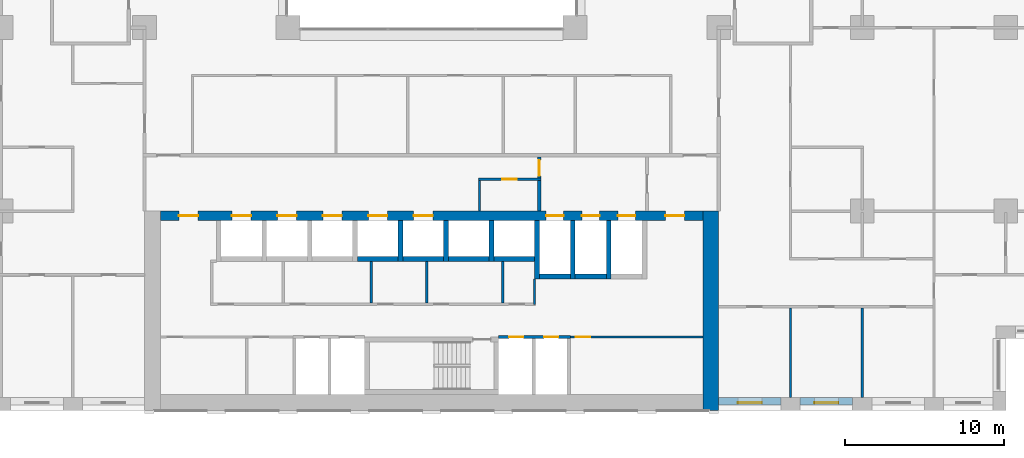
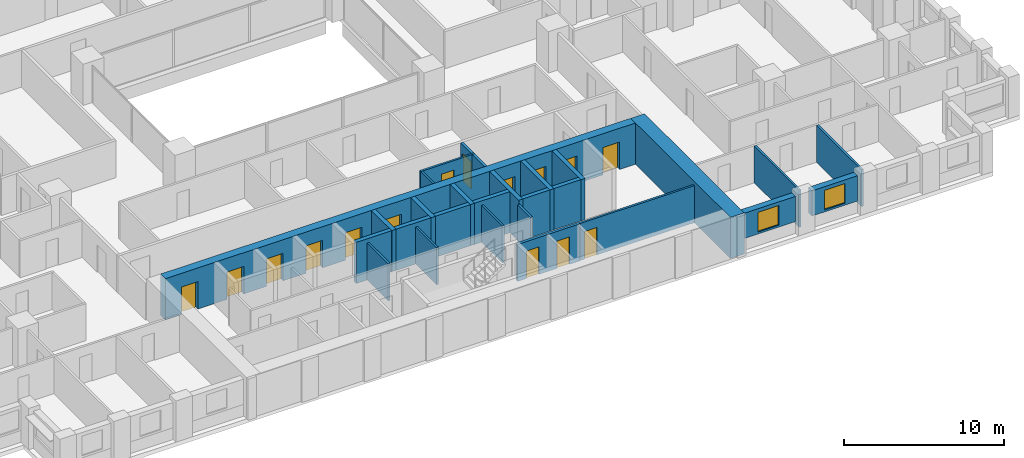
# One storey, part 11 of 21: 28 walls, 15 doors, 2 windows, 17 openings.
"""IFC4 building model written with IfcOpenShell, lengths in metres."""

import ifcopenshell
import ifcopenshell.guid

model = None  # the IFC model being written
_history = None  # IfcOwnerHistory: only IFC2X3 demands one
_inside = {}  # id of a spatial element -> (the spatial element, [elements in it])
_under = {}  # id of a project, library or spatial element -> (it, [spatial elements below it])
_declared = {}  # id of a project -> (the project, [libraries it declares])
_typed = {}  # id of a type object -> (the type object, [elements of that type])
_made_of = {}  # id of a material, layer set ... -> (it, [elements and type objects made of it])


def new_model(schema):
    """Start an empty IFC model of exactly this schema.

    Asked for "IFC4X3", IfcOpenShell would pick the latest addendum, in which some entities
    have other attributes; the version numbers below select the first issue.
    IFC2X3 requires an IfcOwnerHistory on every rooted entity: one is made here for all.
    """
    global model, _history
    if schema == "IFC4X3":
        model = ifcopenshell.file(schema_version=(4, 3, 0, 0))
    else:
        model = ifcopenshell.file(schema=schema)
    _inside.clear()
    _under.clear()
    _declared.clear()
    _typed.clear()
    _made_of.clear()
    _history = None
    if model.schema == "IFC2X3":
        org = make("IfcOrganization", Name="unknown")
        user = make(
            "IfcPersonAndOrganization",
            ThePerson=make("IfcPerson", FamilyName="unknown"),
            TheOrganization=org,
        )
        app = make(
            "IfcApplication",
            ApplicationDeveloper=org,
            Version="unknown",
            ApplicationFullName="unknown",
            ApplicationIdentifier="unknown",
        )
        _history = make(
            "IfcOwnerHistory",
            OwningUser=user,
            OwningApplication=app,
            ChangeAction="ADDED",
            CreationDate=0,
        )
    return model


def make(cls, **values):
    """One entity of the class cls with the attributes given. An attribute that is None is left unset."""
    return model.create_entity(
        cls, **{name: value for name, value in values.items() if value is not None}
    )


def rooted(cls, **values):
    """An entity with a GlobalId (a new one), such as an element, a storey or a relation."""
    return make(cls, GlobalId=ifcopenshell.guid.new(), OwnerHistory=_history, **values)


def si_unit(unit_type, name, prefix=None):
    """IfcSIUnit, for example si_unit("LENGTHUNIT", "METRE", prefix="MILLI")."""
    return make("IfcSIUnit", UnitType=unit_type, Prefix=prefix, Name=name)


def assignment(units):
    """IfcUnitAssignment: the units of a project."""
    return None if units is None else make("IfcUnitAssignment", Units=units)


def point(xyz):
    """IfcCartesianPoint."""
    return None if xyz is None else make("IfcCartesianPoint", Coordinates=xyz)


def direction(xyz):
    """IfcDirection."""
    return None if xyz is None else make("IfcDirection", DirectionRatios=xyz)


def frame(location, z_axis=None, x_axis=None):
    """IfcAxis2Placement3D, a coordinate frame: its origin and axes. An axis left out is left unset."""
    return make(
        "IfcAxis2Placement3D",
        Location=point(location),
        Axis=direction(z_axis),
        RefDirection=direction(x_axis),
    )


def frame_2d(location, x_axis=None):
    """IfcAxis2Placement2D, a coordinate frame in the plane: its origin and x axis."""
    return make(
        "IfcAxis2Placement2D", Location=point(location), RefDirection=direction(x_axis)
    )


def origin():
    """The frame at (0, 0, 0) with its axes left unset."""
    return frame((0.0, 0.0, 0.0))


def place(relative_to, where):
    """IfcLocalPlacement: puts the frame where relative to a parent placement (None: the world)."""
    return make(
        "IfcLocalPlacement", PlacementRelTo=relative_to, RelativePlacement=where
    )


def context(
    kind, dimensions, precision=None, world=None, true_north=None, identifier=None
):
    """IfcGeometricRepresentationContext, for example the 3D "Model" context."""
    return make(
        "IfcGeometricRepresentationContext",
        ContextIdentifier=identifier,
        ContextType=kind,
        CoordinateSpaceDimension=dimensions,
        Precision=precision,
        WorldCoordinateSystem=world,
        TrueNorth=true_north,
    )


def subcontext(parent, identifier, kind, view, scale=None):
    """IfcGeometricRepresentationSubContext, for example "Body" below "Model"."""
    return make(
        "IfcGeometricRepresentationSubContext",
        ContextIdentifier=identifier,
        ContextType=kind,
        ParentContext=parent,
        TargetScale=scale,
        TargetView=view,
    )


def project(units=None, contexts=None):
    """IfcProject with its units and contexts."""
    return rooted(
        "IfcProject",
        Name="project",
        RepresentationContexts=contexts,
        UnitsInContext=assignment(units),
    )


def spatial(cls, under=None, at=None, **own):
    """A site, building, storey or space (cls), placed at a placement, below another one or the project."""
    s = rooted(cls, ObjectPlacement=at, **own)
    if under is not None:
        _under.setdefault(under.id(), (under, []))[1].append(s)
    return s


def profile(cls, at=None, kind="AREA", **sizes):
    """A parametric profile (cls). Its sizes go by their IFC names, for example OverallWidth=200.0."""
    return make(cls, ProfileType=kind, Position=at, **sizes)


def rectangle(**sizes):
    """IfcRectangleProfileDef."""
    return profile("IfcRectangleProfileDef", **sizes)


def extrude(swept, where, along, depth):
    """IfcExtrudedAreaSolid: the profile swept, set in the frame where, extruded along a direction by depth."""
    return make(
        "IfcExtrudedAreaSolid",
        SweptArea=swept,
        Position=where,
        ExtrudedDirection=direction(along),
        Depth=depth,
    )


def shape(context_of_items, identifier, shape_type, items):
    """IfcShapeRepresentation: the items that make up one representation, for example the "Body"."""
    return make(
        "IfcShapeRepresentation",
        ContextOfItems=context_of_items,
        RepresentationIdentifier=identifier,
        RepresentationType=shape_type,
        Items=items,
    )


def material(Name=None, Category=None):
    """IfcMaterial."""
    return make("IfcMaterial", Name=Name, Category=Category)


def layer(
    of_material, thickness, ventilated=None, Name=None, Category=None, Priority=None
):
    """IfcMaterialLayer: one layer of a wall or slab, of a material (None: an air gap)."""
    return make(
        "IfcMaterialLayer",
        Material=of_material,
        LayerThickness=thickness,
        IsVentilated=ventilated,
        Name=Name,
        Category=Category,
        Priority=Priority,
    )


def layer_set(layers, Name=None):
    """IfcMaterialLayerSet."""
    return make("IfcMaterialLayerSet", MaterialLayers=layers, LayerSetName=Name)


def made_of(thing, what):
    """Note that an element or type object is made of a material, layer set ...; save() writes the relation."""
    if what is not None:
        _made_of.setdefault(what.id(), (what, []))[1].append(thing)
    return thing


def type_object(cls, material=None, **own):
    """A type object (cls), such as IfcWallType, which elements share."""
    return made_of(rooted(cls, **own), material)


def element(
    cls,
    number,
    at=None,
    inside=None,
    cuts=None,
    type_object=None,
    material=None,
    context=None,
    identifier="Body",
    shape_type=None,
    held_by="IfcProductDefinitionShape",
    body=None,
    shapes=None,
    **own,
):
    """One element of the class cls, such as IfcWall. Its Tag is "e" and its number.

    at: its placement. inside: the storey or other place that contains it. cuts: it is an
    opening in that element (IfcRelVoidsElement). A single representation is given by context,
    identifier, shape_type and body (its items); several are given by shapes. held_by: the class
    of the entity that holds the representations. save() writes the other relations.
    """
    e = rooted(cls, Tag="e%d" % number, ObjectPlacement=at, **own)
    if body is not None:
        shapes = [shape(context, identifier, shape_type, body)]
    if shapes is not None:
        e.Representation = make(held_by, Representations=shapes)
    if inside is not None:
        _inside.setdefault(inside.id(), (inside, []))[1].append(e)
    if cuts is not None:
        rooted(
            "IfcRelVoidsElement", RelatingBuildingElement=cuts, RelatedOpeningElement=e
        )
    if type_object is not None:
        _typed.setdefault(type_object.id(), (type_object, []))[1].append(e)
    return made_of(e, material)


def fill(opening, filler):
    """IfcRelFillsElement: the door or window that sits in an opening."""
    return rooted(
        "IfcRelFillsElement",
        RelatingOpeningElement=opening,
        RelatedBuildingElement=filler,
    )


def aggregate(whole, parts):
    """IfcRelAggregates: a whole, such as a stair, and the parts it consists of."""
    return rooted("IfcRelAggregates", RelatingObject=whole, RelatedObjects=parts)


def save(model, path):
    """Write the relations noted so far, then the file.

    IfcRelAggregates (storeys below a building ...), IfcRelContainedInSpatialStructure (elements
    in a storey), IfcRelDefinesByType, IfcRelAssociatesMaterial and IfcRelDeclares: one each for
    every whole, place, type object, material and project.
    """
    for whole, parts in _under.values():
        aggregate(whole, parts)
    for where, things in _inside.values():
        rooted(
            "IfcRelContainedInSpatialStructure",
            RelatedElements=things,
            RelatingStructure=where,
        )
    for kind, things in _typed.values():
        rooted("IfcRelDefinesByType", RelatedObjects=things, RelatingType=kind)
    for what, things in _made_of.values():
        rooted("IfcRelAssociatesMaterial", RelatedObjects=things, RelatingMaterial=what)
    for by, libraries in _declared.values():
        rooted("IfcRelDeclares", RelatingContext=by, RelatedDefinitions=libraries)
    model.write(path)


model = new_model("IFC4")

# Units and contexts
model_context = context("Model", 3, precision=1e-05, world=origin(), true_north=direction((0.0, 1.0)))
body_context = subcontext(model_context, "Body", "Model", "MODEL_VIEW")
ifc_project = project(units=[si_unit("LENGTHUNIT", "METRE"), si_unit("AREAUNIT", "SQUARE_METRE"), si_unit("VOLUMEUNIT", "CUBIC_METRE"), si_unit("PLANEANGLEUNIT", "RADIAN"), si_unit("MASSUNIT", "GRAM", prefix="KILO")], contexts=[model_context])

# Site, building, storey
site_placement = place(None, origin())
site = spatial("IfcSite", under=ifc_project, at=site_placement, CompositionType="ELEMENT")
building_placement = place(site_placement, origin())
building = spatial("IfcBuilding", under=site, at=building_placement, Name="Brigalow Station Residences", CompositionType="ELEMENT")
storey_placement = place(building_placement, frame((0.0, 0.0, 51.0)))
storey = spatial("IfcBuildingStorey", under=building, at=storey_placement, Name="L14", CompositionType="ELEMENT", Elevation=51.0)

# Wall, opening, window
ifc_material_1 = material(Name="Clay brick masonry", Category="masonry")
ifc_layer_1 = layer(ifc_material_1, 0.449951171875)
ifc_layer_set_1 = layer_set([ifc_layer_1], Name="BRICK INFILL WALL 450")
wall_type_1 = type_object("IfcWallType", Name="BRICK INFILL WALL 450", PredefinedType="SOLIDWALL", material=ifc_layer_set_1)
wall_1_placement = place(storey_placement, frame((54.0, 0.574951171875, 0.89990234375), z_axis=(0.0, 0.0, 1.0), x_axis=(1.0, 0.0, 0.0)))
wall_1 = element("IfcWall", 1, at=wall_1_placement, inside=storey, type_object=wall_type_1, Name="L14/ewall/W-L14-5", PredefinedType="SOLIDWALL", context=body_context, shape_type="SweptSolid", body=[
    extrude(rectangle(XDim=3.89990234375, YDim=0.449951171875, at=frame_2d((1.949951171875, 0.0))), origin(), (0.0, 0.0, 1.0), 1.93017578125),
])
opening_1_placement = place(wall_1_placement, frame((1.199951171875, 0.0, 0.14990234375)))
opening_1 = element("IfcOpeningElement", 2, at=opening_1_placement, cuts=wall_1, Name="Opening WT-1", PredefinedType="OPENING", context=body_context, shape_type="SweptSolid", body=[
    extrude(rectangle(XDim=1.5, YDim=1.5, at=frame_2d((0.75, 0.75))), frame((0.0, 0.23486328125, 0.0), z_axis=(0.0, -1.0, 0.0), x_axis=(1.0, 0.0, 0.0)), (0.0, 0.0, 1.0), 0.469970703125),
])
ifc_material_2 = material(Name="Anodised aluminium frame with double glazing", Category="aluminium")
window_type = type_object("IfcWindowType", Name="WINDOW 1500x1500", PartitioningType="SINGLE_PANEL", PredefinedType="WINDOW", material=ifc_material_2)
window_1_placement = place(opening_1_placement, origin())
window_1 = element("IfcWindow", 3, at=window_1_placement, inside=storey, type_object=window_type, Name="L14/window/W-L14-5", OverallHeight=1.5, OverallWidth=1.5, PartitioningType="SINGLE_PANEL", PredefinedType="WINDOW", context=body_context, shape_type="SweptSolid", body=[
    extrude(rectangle(XDim=1.5, YDim=1.5, at=frame_2d((0.75, 0.75))), frame((0.0, -0.06494140625, 0.0), z_axis=(0.0, -1.0, 0.0), x_axis=(1.0, 0.0, 0.0)), (0.0, 0.0, 1.0), 0.06005859375),
])
fill(opening_1, window_1)

wall_2_placement = place(storey_placement, frame((59.10009765625, 0.574951171875, 0.89990234375), z_axis=(0.0, 0.0, 1.0), x_axis=(1.0, 0.0, 0.0)))
wall_2 = element("IfcWall", 4, at=wall_2_placement, inside=storey, type_object=wall_type_1, Name="L14/ewall/W-L14-6", PredefinedType="SOLIDWALL", context=body_context, shape_type="SweptSolid", body=[
    extrude(rectangle(XDim=3.2998046875, YDim=0.449951171875, at=frame_2d((1.64990234375, 0.0))), origin(), (0.0, 0.0, 1.0), 1.93017578125),
])
opening_2_placement = place(wall_2_placement, frame((0.89990234375, 0.0, 0.14990234375)))
opening_2 = element("IfcOpeningElement", 5, at=opening_2_placement, cuts=wall_2, Name="Opening WT-1", PredefinedType="OPENING", context=body_context, shape_type="SweptSolid", body=[
    extrude(rectangle(XDim=1.5, YDim=1.5, at=frame_2d((0.75, 0.75))), frame((0.0, 0.23486328125, 0.0), z_axis=(0.0, -1.0, 0.0), x_axis=(1.0, 0.0, 0.0)), (0.0, 0.0, 1.0), 0.469970703125),
])
window_2_placement = place(opening_2_placement, origin())
window_2 = element("IfcWindow", 6, at=window_2_placement, inside=storey, type_object=window_type, Name="L14/window/W-L14-6", OverallHeight=1.5, OverallWidth=1.5, PartitioningType="SINGLE_PANEL", PredefinedType="WINDOW", context=body_context, shape_type="SweptSolid", body=[
    extrude(rectangle(XDim=1.5, YDim=1.5, at=frame_2d((0.75, 0.75))), frame((0.0, -0.06494140625, 0.0), z_axis=(0.0, -1.0, 0.0), x_axis=(1.0, 0.0, 0.0)), (0.0, 0.0, 1.0), 0.06005859375),
])
fill(opening_2, window_2)

# Walls
ifc_material_3 = material(Name="Concrete C80", Category="concrete")
ifc_layer_2 = layer(ifc_material_3, 1.0)
ifc_layer_set_2 = layer_set([ifc_layer_2], Name="CORE SHEAR WALL 1000 C80")
wall_type_2 = type_object("IfcWallType", Name="CORE SHEAR WALL 1000 C80", PredefinedType="SHEAR", material=ifc_layer_set_2)
wall_3_placement = place(storey_placement, frame((53.5, 0.0, 0.0), z_axis=(0.0, 0.0, 1.0), x_axis=(0.0, 1.0, 0.0)))
element("IfcWall", 7, at=wall_3_placement, inside=storey, type_object=wall_type_2, Name="CORE WALL OUT-E L14", PredefinedType="SHEAR", context=body_context, shape_type="SweptSolid", body=[
    extrude(rectangle(XDim=12.5, YDim=1.0, at=frame_2d((6.25, 0.0))), origin(), (0.0, 0.0, 1.0), 3.14990234375),
])
ifc_material_4 = material(Name="Concrete C80", Category="concrete")
ifc_layer_3 = layer(ifc_material_4, 0.300048828125)
ifc_layer_set_3 = layer_set([ifc_layer_3], Name="CORE SHEAR WALL 300 C80")
wall_type_3 = type_object("IfcWallType", Name="CORE SHEAR WALL 300 C80", PredefinedType="SHEAR", material=ifc_layer_set_3)
wall_4_placement = place(storey_placement, frame((31.35009765625, 9.5, 0.0), z_axis=(0.0, 0.0, 1.0), x_axis=(1.0, 0.0, 0.0)))
element("IfcWall", 8, at=wall_4_placement, inside=storey, type_object=wall_type_3, Name="CORE WALL SH-P4-S L14", PredefinedType="SHEAR", context=body_context, shape_type="SweptSolid", body=[
    extrude(rectangle(XDim=2.5498046875, YDim=0.300048828125, at=frame_2d((1.27490234375, 0.0))), origin(), (0.0, 0.0, 1.0), 3.14990234375),
])
wall_5_placement = place(storey_placement, frame((34.199951171875, 9.5, 0.0), z_axis=(0.0, 0.0, 1.0), x_axis=(1.0, 0.0, 0.0)))
element("IfcWall", 9, at=wall_5_placement, inside=storey, type_object=wall_type_3, Name="CORE WALL SH-P5-S L14", PredefinedType="SHEAR", context=body_context, shape_type="SweptSolid", body=[
    extrude(rectangle(XDim=2.550048828125, YDim=0.300048828125, at=frame_2d((1.27490234375, 0.0))), origin(), (0.0, 0.0, 1.0), 3.14990234375),
])
wall_6_placement = place(storey_placement, frame((34.050048828125, 9.35009765625, 0.0), z_axis=(0.0, 0.0, 1.0), x_axis=(0.0, 1.0, 0.0)))
element("IfcWall", 10, at=wall_6_placement, inside=storey, type_object=wall_type_3, Name="CORE WALL SH-P5-W L14", PredefinedType="SHEAR", context=body_context, shape_type="SweptSolid", body=[
    extrude(rectangle(XDim=2.5498046875, YDim=0.300048828125, at=frame_2d((1.27490234375, 0.0))), origin(), (0.0, 0.0, 1.0), 3.14990234375),
])
wall_7_placement = place(storey_placement, frame((37.050048828125, 9.5, 0.0), z_axis=(0.0, 0.0, 1.0), x_axis=(1.0, 0.0, 0.0)))
element("IfcWall", 11, at=wall_7_placement, inside=storey, type_object=wall_type_3, Name="CORE WALL SH-X1-S L14", PredefinedType="SHEAR", context=body_context, shape_type="SweptSolid", body=[
    extrude(rectangle(XDim=2.550048828125, YDim=0.300048828125, at=frame_2d((1.27490234375, 0.0))), origin(), (0.0, 0.0, 1.0), 3.14990234375),
])
wall_8_placement = place(storey_placement, frame((36.89990234375, 9.35009765625, 0.0), z_axis=(0.0, 0.0, 1.0), x_axis=(0.0, 1.0, 0.0)))
element("IfcWall", 12, at=wall_8_placement, inside=storey, type_object=wall_type_3, Name="CORE WALL SH-X1-W L14", PredefinedType="SHEAR", context=body_context, shape_type="SweptSolid", body=[
    extrude(rectangle(XDim=2.5498046875, YDim=0.300048828125, at=frame_2d((1.27490234375, 0.0))), origin(), (0.0, 0.0, 1.0), 3.14990234375),
])
wall_9_placement = place(storey_placement, frame((39.89990234375, 9.5, 0.0), z_axis=(0.0, 0.0, 1.0), x_axis=(1.0, 0.0, 0.0)))
element("IfcWall", 13, at=wall_9_placement, inside=storey, type_object=wall_type_3, Name="CORE WALL SH-X2-S L14", PredefinedType="SHEAR", context=body_context, shape_type="SweptSolid", body=[
    extrude(rectangle(XDim=2.550048828125, YDim=0.300048828125, at=frame_2d((1.27490234375, 0.0))), origin(), (0.0, 0.0, 1.0), 3.14990234375),
])
wall_10_placement = place(storey_placement, frame((39.75, 9.35009765625, 0.0), z_axis=(0.0, 0.0, 1.0), x_axis=(0.0, 1.0, 0.0)))
element("IfcWall", 14, at=wall_10_placement, inside=storey, type_object=wall_type_3, Name="CORE WALL SH-X2-W L14", PredefinedType="SHEAR", context=body_context, shape_type="SweptSolid", body=[
    extrude(rectangle(XDim=2.5498046875, YDim=0.300048828125, at=frame_2d((1.27490234375, 0.0))), origin(), (0.0, 0.0, 1.0), 3.14990234375),
])
wall_11_placement = place(storey_placement, frame((42.75, 8.39990234375, 0.0), z_axis=(0.0, 0.0, 1.0), x_axis=(1.0, 0.0, 0.0)))
element("IfcWall", 15, at=wall_11_placement, inside=storey, type_object=wall_type_3, Name="CORE WALL SH-FF1-S L14", PredefinedType="SHEAR", context=body_context, shape_type="SweptSolid", body=[
    extrude(rectangle(XDim=1.949951171875, YDim=0.300048828125, at=frame_2d((0.97509765625, 0.0))), origin(), (0.0, 0.0, 1.0), 3.14990234375),
])
wall_12_placement = place(storey_placement, frame((42.60009765625, 8.25, 0.0), z_axis=(0.0, 0.0, 1.0), x_axis=(0.0, 1.0, 0.0)))
element("IfcWall", 16, at=wall_12_placement, inside=storey, type_object=wall_type_3, Name="CORE WALL SH-FF1-W L14", PredefinedType="SHEAR", context=body_context, shape_type="SweptSolid", body=[
    extrude(rectangle(XDim=3.64990234375, YDim=0.300048828125, at=frame_2d((1.824951171875, 0.0))), origin(), (0.0, 0.0, 1.0), 3.14990234375),
])
wall_13_placement = place(storey_placement, frame((45.0, 8.39990234375, 0.0), z_axis=(0.0, 0.0, 1.0), x_axis=(1.0, 0.0, 0.0)))
element("IfcWall", 17, at=wall_13_placement, inside=storey, type_object=wall_type_3, Name="CORE WALL SH-FF2-S L14", PredefinedType="SHEAR", context=body_context, shape_type="SweptSolid", body=[
    extrude(rectangle(XDim=1.949951171875, YDim=0.300048828125, at=frame_2d((0.97509765625, 0.0))), origin(), (0.0, 0.0, 1.0), 3.14990234375),
])
for number, where, z_axis, x_axis, name in (
    (18, (44.85009765625, 8.25, 0.0), (0.0, 0.0, 1.0), (0.0, 1.0, 0.0), "CORE WALL SH-FF2-W L14"),
    (19, (47.10009765625, 8.25, 0.0), (0.0, 0.0, 1.0), (0.0, 1.0, 0.0), "CORE WALL SH-SL1-W L14"),
):
    element("IfcWall", number, at=place(storey_placement, frame(where, z_axis=z_axis, x_axis=x_axis)), inside=storey, type_object=wall_type_3, Name=name, PredefinedType="SHEAR", context=body_context, shape_type="SweptSolid", body=[
        extrude(rectangle(XDim=3.64990234375, YDim=0.300048828125, at=frame_2d((1.824951171875, 0.0))), origin(), (0.0, 0.0, 1.0), 3.14990234375),
    ])

# Wall, openings, doors
ifc_material_5 = material(Name="Concrete C80", Category="concrete")
ifc_layer_4 = layer(ifc_material_5, 0.60009765625)
ifc_layer_set_4 = layer_set([ifc_layer_4], Name="CORE SHEAR WALL 600 C80")
wall_type_4 = type_object("IfcWallType", Name="CORE SHEAR WALL 600 C80", PredefinedType="SHEAR", material=ifc_layer_set_4)
wall_14_placement = place(storey_placement, frame((19.0, 12.199951171875, 0.0), z_axis=(0.0, 0.0, 1.0), x_axis=(1.0, 0.0, 0.0)))
wall_14 = element("IfcWall", 20, at=wall_14_placement, inside=storey, type_object=wall_type_4, Name="CORE WALL OUT-N L14", PredefinedType="SHEAR", context=body_context, shape_type="SweptSolid", body=[
    extrude(rectangle(XDim=34.0, YDim=0.60009765625, at=frame_2d((17.0, 0.0))), origin(), (0.0, 0.0, 1.0), 3.14990234375),
])
opening_3_placement = place(wall_14_placement, frame((4.47509765625, 0.0, 0.0)))
opening_3 = element("IfcOpeningElement", 21, at=opening_3_placement, cuts=wall_14, Name="Opening LD-LA1", PredefinedType="OPENING", context=body_context, shape_type="SweptSolid", body=[
    extrude(rectangle(XDim=1.199951171875, YDim=2.10009765625, at=frame_2d((0.60009765625, 1.050048828125))), frame((0.0, 0.31005859375, 0.0), z_axis=(0.0, -1.0, 0.0), x_axis=(1.0, 0.0, 0.0)), (0.0, 0.0, 1.0), 0.6201171875),
])
opening_4_placement = place(wall_14_placement, frame((7.324951171875, 0.0, 0.0)))
opening_4 = element("IfcOpeningElement", 22, at=opening_4_placement, cuts=wall_14, Name="Opening LD-LA2", PredefinedType="OPENING", context=body_context, shape_type="SweptSolid", body=[
    extrude(rectangle(XDim=1.199951171875, YDim=2.10009765625, at=frame_2d((0.60009765625, 1.050048828125))), frame((0.0, 0.31005859375, 0.0), z_axis=(0.0, -1.0, 0.0), x_axis=(1.0, 0.0, 0.0)), (0.0, 0.0, 1.0), 0.6201171875),
])
opening_5_placement = place(wall_14_placement, frame((10.175048828125, 0.0, 0.0)))
opening_5 = element("IfcOpeningElement", 23, at=opening_5_placement, cuts=wall_14, Name="Opening LD-LA3", PredefinedType="OPENING", context=body_context, shape_type="SweptSolid", body=[
    extrude(rectangle(XDim=1.199951171875, YDim=2.10009765625, at=frame_2d((0.60009765625, 1.050048828125))), frame((0.0, 0.31005859375, 0.0), z_axis=(0.0, -1.0, 0.0), x_axis=(1.0, 0.0, 0.0)), (0.0, 0.0, 1.0), 0.6201171875),
])
opening_6_placement = place(wall_14_placement, frame((13.02490234375, 0.0, 0.0)))
opening_6 = element("IfcOpeningElement", 24, at=opening_6_placement, cuts=wall_14, Name="Opening LD-LA4", PredefinedType="OPENING", context=body_context, shape_type="SweptSolid", body=[
    extrude(rectangle(XDim=1.199951171875, YDim=2.10009765625, at=frame_2d((0.60009765625, 1.050048828125))), frame((0.0, 0.31005859375, 0.0), z_axis=(0.0, -1.0, 0.0), x_axis=(1.0, 0.0, 0.0)), (0.0, 0.0, 1.0), 0.6201171875),
])
opening_7_placement = place(wall_14_placement, frame((15.875, 0.0, 0.0)))
opening_7 = element("IfcOpeningElement", 25, at=opening_7_placement, cuts=wall_14, Name="Opening LD-LA5", PredefinedType="OPENING", context=body_context, shape_type="SweptSolid", body=[
    extrude(rectangle(XDim=1.199951171875, YDim=2.10009765625, at=frame_2d((0.60009765625, 1.050048828125))), frame((0.0, 0.31005859375, 0.0), z_axis=(0.0, -1.0, 0.0), x_axis=(1.0, 0.0, 0.0)), (0.0, 0.0, 1.0), 0.6201171875),
])
opening_8_placement = place(wall_14_placement, frame((24.175048828125, 0.0, 0.0)))
opening_8 = element("IfcOpeningElement", 26, at=opening_8_placement, cuts=wall_14, Name="Opening LD-LF1", PredefinedType="OPENING", context=body_context, shape_type="SweptSolid", body=[
    extrude(rectangle(XDim=1.10009765625, YDim=2.10009765625, at=frame_2d((0.550048828125, 1.050048828125))), frame((0.0, 0.31005859375, 0.0), z_axis=(0.0, -1.0, 0.0), x_axis=(1.0, 0.0, 0.0)), (0.0, 0.0, 1.0), 0.6201171875),
])
opening_9_placement = place(wall_14_placement, frame((26.425048828125, 0.0, 0.0)))
opening_9 = element("IfcOpeningElement", 27, at=opening_9_placement, cuts=wall_14, Name="Opening LD-LF2", PredefinedType="OPENING", context=body_context, shape_type="SweptSolid", body=[
    extrude(rectangle(XDim=1.10009765625, YDim=2.10009765625, at=frame_2d((0.550048828125, 1.050048828125))), frame((0.0, 0.31005859375, 0.0), z_axis=(0.0, -1.0, 0.0), x_axis=(1.0, 0.0, 0.0)), (0.0, 0.0, 1.0), 0.6201171875),
])
opening_10_placement = place(wall_14_placement, frame((28.675048828125, 0.0, 0.0)))
opening_10 = element("IfcOpeningElement", 28, at=opening_10_placement, cuts=wall_14, Name="Opening LD-LG1", PredefinedType="OPENING", context=body_context, shape_type="SweptSolid", body=[
    extrude(rectangle(XDim=1.10009765625, YDim=2.10009765625, at=frame_2d((0.550048828125, 1.050048828125))), frame((0.0, 0.31005859375, 0.0), z_axis=(0.0, -1.0, 0.0), x_axis=(1.0, 0.0, 0.0)), (0.0, 0.0, 1.0), 0.6201171875),
])
opening_11_placement = place(wall_14_placement, frame((1.14990234375, 0.0, 0.0)))
opening_11 = element("IfcOpeningElement", 29, at=opening_11_placement, cuts=wall_14, Name="Opening D-5011", PredefinedType="OPENING", context=body_context, shape_type="SweptSolid", body=[
    extrude(rectangle(XDim=1.199951171875, YDim=2.10009765625, at=frame_2d((0.60009765625, 1.050048828125))), frame((0.0, 0.31005859375, 0.0), z_axis=(0.0, -1.0, 0.0), x_axis=(1.0, 0.0, 0.0)), (0.0, 0.0, 1.0), 0.6201171875),
])
opening_12_placement = place(wall_14_placement, frame((31.64990234375, 0.0, 0.0)))
opening_12 = element("IfcOpeningElement", 30, at=opening_12_placement, cuts=wall_14, Name="Opening D-5012", PredefinedType="OPENING", context=body_context, shape_type="SweptSolid", body=[
    extrude(rectangle(XDim=1.199951171875, YDim=2.10009765625, at=frame_2d((0.60009765625, 1.050048828125))), frame((0.0, 0.31005859375, 0.0), z_axis=(0.0, -1.0, 0.0), x_axis=(1.0, 0.0, 0.0)), (0.0, 0.0, 1.0), 0.6201171875),
])
ifc_material_6 = material(Name="Steel fire door leaf in steel frame", Category="steel")
door_type_1 = type_object("IfcDoorType", Name="CORE CORRIDOR DOOR 1200 x 2100 FD60S", OperationType="SINGLE_SWING_LEFT", PredefinedType="DOOR", material=ifc_material_6)
door_1_placement = place(opening_11_placement, frame((1.199951171875, 0.0, 0.0), z_axis=(0.0, 0.0, 1.0), x_axis=(-1.0, 0.0, 0.0)))
door_1 = element("IfcDoor", 31, at=door_1_placement, inside=storey, type_object=door_type_1, Name="D-5011", OperationType="SINGLE_SWING_LEFT", OverallHeight=2.10009765625, OverallWidth=1.199951171875, PredefinedType="DOOR", context=body_context, shape_type="SweptSolid", body=[
    extrude(rectangle(XDim=1.199951171875, YDim=2.10009765625, at=frame_2d((0.60009765625, 1.050048828125))), frame((0.0, 0.02490234375, 0.0), z_axis=(0.0, -1.0, 0.0), x_axis=(1.0, 0.0, 0.0)), (0.0, 0.0, 1.0), 0.050048828125),
])
fill(opening_11, door_1)
door_2_placement = place(opening_12_placement, frame((1.199951171875, 0.0, 0.0), z_axis=(0.0, 0.0, 1.0), x_axis=(-1.0, 0.0, 0.0)))
door_2 = element("IfcDoor", 32, at=door_2_placement, inside=storey, type_object=door_type_1, Name="D-5012", OperationType="SINGLE_SWING_RIGHT", OverallHeight=2.10009765625, OverallWidth=1.199951171875, PredefinedType="DOOR", context=body_context, shape_type="SweptSolid", body=[
    extrude(rectangle(XDim=1.199951171875, YDim=2.10009765625, at=frame_2d((0.60009765625, 1.050048828125))), frame((0.0, 0.02490234375, 0.0), z_axis=(0.0, -1.0, 0.0), x_axis=(1.0, 0.0, 0.0)), (0.0, 0.0, 1.0), 0.050048828125),
])
fill(opening_12, door_2)
ifc_material_7 = material(Name="Stainless steel sliding door leaves", Category="steel")
door_type_2 = type_object("IfcDoorType", Name="LIFT LANDING DOOR 1100 x 2100", OperationType="DOUBLE_DOOR_SLIDING", PredefinedType="DOOR", material=ifc_material_7)
door_3_placement = place(opening_8_placement, origin())
door_3 = element("IfcDoor", 33, at=door_3_placement, inside=storey, type_object=door_type_2, Name="LANDING DOOR LF1", OperationType="DOUBLE_DOOR_SLIDING", OverallHeight=2.10009765625, OverallWidth=1.10009765625, PredefinedType="DOOR", context=body_context, shape_type="SweptSolid", body=[
    extrude(rectangle(XDim=1.10009765625, YDim=2.10009765625, at=frame_2d((0.550048828125, 1.050048828125))), frame((0.0, 0.02490234375, 0.0), z_axis=(0.0, -1.0, 0.0), x_axis=(1.0, 0.0, 0.0)), (0.0, 0.0, 1.0), 0.050048828125),
])
fill(opening_8, door_3)
door_4_placement = place(opening_9_placement, origin())
door_4 = element("IfcDoor", 34, at=door_4_placement, inside=storey, type_object=door_type_2, Name="LANDING DOOR LF2", OperationType="DOUBLE_DOOR_SLIDING", OverallHeight=2.10009765625, OverallWidth=1.10009765625, PredefinedType="DOOR", context=body_context, shape_type="SweptSolid", body=[
    extrude(rectangle(XDim=1.10009765625, YDim=2.10009765625, at=frame_2d((0.550048828125, 1.050048828125))), frame((0.0, 0.02490234375, 0.0), z_axis=(0.0, -1.0, 0.0), x_axis=(1.0, 0.0, 0.0)), (0.0, 0.0, 1.0), 0.050048828125),
])
fill(opening_9, door_4)
door_5_placement = place(opening_10_placement, origin())
door_5 = element("IfcDoor", 35, at=door_5_placement, inside=storey, type_object=door_type_2, Name="LANDING DOOR LG1", OperationType="DOUBLE_DOOR_SLIDING", OverallHeight=2.10009765625, OverallWidth=1.10009765625, PredefinedType="DOOR", context=body_context, shape_type="SweptSolid", body=[
    extrude(rectangle(XDim=1.10009765625, YDim=2.10009765625, at=frame_2d((0.550048828125, 1.050048828125))), frame((0.0, 0.02490234375, 0.0), z_axis=(0.0, -1.0, 0.0), x_axis=(1.0, 0.0, 0.0)), (0.0, 0.0, 1.0), 0.050048828125),
])
fill(opening_10, door_5)
ifc_material_8 = material(Name="Stainless steel sliding door leaves", Category="steel")
door_type_3 = type_object("IfcDoorType", Name="LIFT LANDING DOOR 1200 x 2100", OperationType="DOUBLE_DOOR_SLIDING", PredefinedType="DOOR", material=ifc_material_8)
door_6_placement = place(opening_3_placement, origin())
door_6 = element("IfcDoor", 36, at=door_6_placement, inside=storey, type_object=door_type_3, Name="LANDING DOOR LA1", OperationType="DOUBLE_DOOR_SLIDING", OverallHeight=2.10009765625, OverallWidth=1.199951171875, PredefinedType="DOOR", context=body_context, shape_type="SweptSolid", body=[
    extrude(rectangle(XDim=1.199951171875, YDim=2.10009765625, at=frame_2d((0.60009765625, 1.050048828125))), frame((0.0, 0.02490234375, 0.0), z_axis=(0.0, -1.0, 0.0), x_axis=(1.0, 0.0, 0.0)), (0.0, 0.0, 1.0), 0.050048828125),
])
fill(opening_3, door_6)
door_7_placement = place(opening_4_placement, origin())
door_7 = element("IfcDoor", 37, at=door_7_placement, inside=storey, type_object=door_type_3, Name="LANDING DOOR LA2", OperationType="DOUBLE_DOOR_SLIDING", OverallHeight=2.10009765625, OverallWidth=1.199951171875, PredefinedType="DOOR", context=body_context, shape_type="SweptSolid", body=[
    extrude(rectangle(XDim=1.199951171875, YDim=2.10009765625, at=frame_2d((0.60009765625, 1.050048828125))), frame((0.0, 0.02490234375, 0.0), z_axis=(0.0, -1.0, 0.0), x_axis=(1.0, 0.0, 0.0)), (0.0, 0.0, 1.0), 0.050048828125),
])
fill(opening_4, door_7)
door_8_placement = place(opening_5_placement, origin())
door_8 = element("IfcDoor", 38, at=door_8_placement, inside=storey, type_object=door_type_3, Name="LANDING DOOR LA3", OperationType="DOUBLE_DOOR_SLIDING", OverallHeight=2.10009765625, OverallWidth=1.199951171875, PredefinedType="DOOR", context=body_context, shape_type="SweptSolid", body=[
    extrude(rectangle(XDim=1.199951171875, YDim=2.10009765625, at=frame_2d((0.60009765625, 1.050048828125))), frame((0.0, 0.02490234375, 0.0), z_axis=(0.0, -1.0, 0.0), x_axis=(1.0, 0.0, 0.0)), (0.0, 0.0, 1.0), 0.050048828125),
])
fill(opening_5, door_8)
door_9_placement = place(opening_6_placement, origin())
door_9 = element("IfcDoor", 39, at=door_9_placement, inside=storey, type_object=door_type_3, Name="LANDING DOOR LA4", OperationType="DOUBLE_DOOR_SLIDING", OverallHeight=2.10009765625, OverallWidth=1.199951171875, PredefinedType="DOOR", context=body_context, shape_type="SweptSolid", body=[
    extrude(rectangle(XDim=1.199951171875, YDim=2.10009765625, at=frame_2d((0.60009765625, 1.050048828125))), frame((0.0, 0.02490234375, 0.0), z_axis=(0.0, -1.0, 0.0), x_axis=(1.0, 0.0, 0.0)), (0.0, 0.0, 1.0), 0.050048828125),
])
fill(opening_6, door_9)
door_10_placement = place(opening_7_placement, origin())
door_10 = element("IfcDoor", 40, at=door_10_placement, inside=storey, type_object=door_type_3, Name="LANDING DOOR LA5", OperationType="DOUBLE_DOOR_SLIDING", OverallHeight=2.10009765625, OverallWidth=1.199951171875, PredefinedType="DOOR", context=body_context, shape_type="SweptSolid", body=[
    extrude(rectangle(XDim=1.199951171875, YDim=2.10009765625, at=frame_2d((0.60009765625, 1.050048828125))), frame((0.0, 0.02490234375, 0.0), z_axis=(0.0, -1.0, 0.0), x_axis=(1.0, 0.0, 0.0)), (0.0, 0.0, 1.0), 0.050048828125),
])
fill(opening_7, door_10)

ifc_material_9 = material(Name="Concrete blockwork", Category="masonry")
ifc_layer_5 = layer(ifc_material_9, 0.199951171875)
ifc_layer_set_5 = layer_set([ifc_layer_5], Name="FIRE RATED CORE PARTITION 200")
wall_type_5 = type_object("IfcWallType", Name="FIRE RATED CORE PARTITION 200", PredefinedType="PARTITIONING", material=ifc_layer_set_5)
wall_15_placement = place(storey_placement, frame((40.199951171875, 4.60009765625, 0.0), z_axis=(0.0, 0.0, 1.0), x_axis=(1.0, 0.0, 0.0)))
wall_15 = element("IfcWall", 41, at=wall_15_placement, inside=storey, type_object=wall_type_5, Name="PW-5018", PredefinedType="PARTITIONING", context=body_context, shape_type="SweptSolid", body=[
    extrude(rectangle(XDim=4.5, YDim=0.199951171875, at=frame_2d((2.25, 0.0))), origin(), (0.0, 0.0, 1.0), 2.830078125),
])
opening_13_placement = place(wall_15_placement, frame((0.64990234375, 0.0, 0.0)))
opening_13 = element("IfcOpeningElement", 42, at=opening_13_placement, cuts=wall_15, Name="Opening D-5009", PredefinedType="OPENING", context=body_context, shape_type="SweptSolid", body=[
    extrude(rectangle(XDim=0.89990234375, YDim=2.10009765625, at=frame_2d((0.449951171875, 1.050048828125))), frame((0.0, 0.10986328125, 0.0), z_axis=(0.0, -1.0, 0.0), x_axis=(1.0, 0.0, 0.0)), (0.0, 0.0, 1.0), 0.219970703125),
])
opening_14_placement = place(wall_15_placement, frame((2.85009765625, 0.0, 0.0)))
opening_14 = element("IfcOpeningElement", 43, at=opening_14_placement, cuts=wall_15, Name="Opening D-5010", PredefinedType="OPENING", context=body_context, shape_type="SweptSolid", body=[
    extrude(rectangle(XDim=0.89990234375, YDim=2.10009765625, at=frame_2d((0.449951171875, 1.050048828125))), frame((0.0, 0.10986328125, 0.0), z_axis=(0.0, -1.0, 0.0), x_axis=(1.0, 0.0, 0.0)), (0.0, 0.0, 1.0), 0.219970703125),
])
ifc_material_10 = material(Name="Steel fire door leaf in steel frame", Category="steel")
door_type_4 = type_object("IfcDoorType", Name="RISER ACCESS DOOR 900 x 2100 FD120", OperationType="SINGLE_SWING_LEFT", PredefinedType="DOOR", material=ifc_material_10)
door_11_placement = place(opening_13_placement, frame((0.89990234375, 0.0, 0.0), z_axis=(0.0, 0.0, 1.0), x_axis=(-1.0, 0.0, 0.0)))
door_11 = element("IfcDoor", 44, at=door_11_placement, inside=storey, type_object=door_type_4, Name="D-5009", OperationType="SINGLE_SWING_LEFT", OverallHeight=2.10009765625, OverallWidth=0.89990234375, PredefinedType="DOOR", context=body_context, shape_type="SweptSolid", body=[
    extrude(rectangle(XDim=0.89990234375, YDim=2.10009765625, at=frame_2d((0.449951171875, 1.050048828125))), frame((0.0, 0.02490234375, 0.0), z_axis=(0.0, -1.0, 0.0), x_axis=(1.0, 0.0, 0.0)), (0.0, 0.0, 1.0), 0.050048828125),
])
fill(opening_13, door_11)
door_12_placement = place(opening_14_placement, frame((0.89990234375, 0.0, 0.0), z_axis=(0.0, 0.0, 1.0), x_axis=(-1.0, 0.0, 0.0)))
door_12 = element("IfcDoor", 45, at=door_12_placement, inside=storey, type_object=door_type_4, Name="D-5010", OperationType="SINGLE_SWING_LEFT", OverallHeight=2.10009765625, OverallWidth=0.89990234375, PredefinedType="DOOR", context=body_context, shape_type="SweptSolid", body=[
    extrude(rectangle(XDim=0.89990234375, YDim=2.10009765625, at=frame_2d((0.449951171875, 1.050048828125))), frame((0.0, 0.02490234375, 0.0), z_axis=(0.0, -1.0, 0.0), x_axis=(1.0, 0.0, 0.0)), (0.0, 0.0, 1.0), 0.050048828125),
])
fill(opening_14, door_12)

# Wall
wall_16_placement = place(storey_placement, frame((42.75, 12.5, 0.0), z_axis=(0.0, 0.0, 1.0), x_axis=(0.0, 1.0, 0.0)))
element("IfcWall", 46, at=wall_16_placement, inside=storey, type_object=wall_type_5, Name="PW-5046", PredefinedType="PARTITIONING", context=body_context, shape_type="SweptSolid", body=[
    extrude(rectangle(XDim=1.925048828125, YDim=0.199951171875, at=frame_2d((0.96240234375, 0.0))), origin(), (0.0, 0.0, 1.0), 2.830078125),
])

# Wall, opening, door
wall_17_placement = place(storey_placement, frame((42.75, 14.574951171875, 0.0), z_axis=(0.0, 0.0, 1.0), x_axis=(0.0, 1.0, 0.0)))
wall_17 = element("IfcWall", 47, at=wall_17_placement, inside=storey, type_object=wall_type_5, Name="PW-5047", PredefinedType="PARTITIONING", context=body_context, shape_type="SweptSolid", body=[
    extrude(rectangle(XDim=1.324951171875, YDim=0.199951171875, at=frame_2d((0.66259765625, 0.0))), origin(), (0.0, 0.0, 1.0), 2.830078125),
])
opening_15_placement = place(wall_17_placement, frame((0.125, 0.0, 0.0)))
opening_15 = element("IfcOpeningElement", 48, at=opening_15_placement, cuts=wall_17, Name="Opening D-5013", PredefinedType="OPENING", context=body_context, shape_type="SweptSolid", body=[
    extrude(rectangle(XDim=1.0, YDim=2.10009765625, at=frame_2d((0.5, 1.050048828125))), frame((0.0, 0.10986328125, 0.0), z_axis=(0.0, -1.0, 0.0), x_axis=(1.0, 0.0, 0.0)), (0.0, 0.0, 1.0), 0.219970703125),
])
ifc_material_11 = material(Name="Steel fire door leaf in steel frame", Category="steel")
door_type_5 = type_object("IfcDoorType", Name="LOBBY DOOR 1000 x 2100 FD60S", OperationType="SINGLE_SWING_LEFT", PredefinedType="DOOR", material=ifc_material_11)
door_13_placement = place(opening_15_placement, origin())
door_13 = element("IfcDoor", 49, at=door_13_placement, inside=storey, type_object=door_type_5, Name="D-5013", OperationType="SINGLE_SWING_LEFT", OverallHeight=2.10009765625, OverallWidth=1.0, PredefinedType="DOOR", context=body_context, shape_type="SweptSolid", body=[
    extrude(rectangle(XDim=1.0, YDim=2.10009765625, at=frame_2d((0.5, 1.050048828125))), frame((0.0, 0.02490234375, 0.0), z_axis=(0.0, -1.0, 0.0), x_axis=(1.0, 0.0, 0.0)), (0.0, 0.0, 1.0), 0.050048828125),
])
fill(opening_15, door_13)

# Walls
ifc_material_12 = material(Name="Plasterboard on steel stud partition", Category="steel")
ifc_layer_6 = layer(ifc_material_12, 0.14990234375)
ifc_layer_set_6 = layer_set([ifc_layer_6], Name="FLAT PARTITION 150")
wall_type_6 = type_object("IfcWallType", Name="FLAT PARTITION 150", PredefinedType="PARTITIONING", material=ifc_layer_set_6)
for number, where, z_axis, x_axis, name in (
    (50, (63.0, 0.800048828125, 0.0), (0.0, 0.0, 1.0), (0.0, 1.0, 0.0), "PW-1D67"),
    (51, (58.5, 0.800048828125, 0.0), (0.0, 0.0, 1.0), (0.0, 1.0, 0.0), "PW-1D82"),
):
    element("IfcWall", number, at=place(storey_placement, frame(where, z_axis=z_axis, x_axis=x_axis)), inside=storey, type_object=wall_type_6, Name=name, PredefinedType="PARTITIONING", context=body_context, shape_type="SweptSolid", body=[
        extrude(rectangle(XDim=5.625, YDim=0.14990234375, at=frame_2d((2.8125, 0.0))), origin(), (0.0, 0.0, 1.0), 2.830078125),
    ])

# Wall, opening, door
ifc_material_13 = material(Name="Plasterboard on steel studs", Category="steel")
ifc_layer_7 = layer(ifc_material_13, 0.14990234375)
ifc_layer_set_7 = layer_set([ifc_layer_7], Name="SERVICE ROOM PARTITION 150")
wall_type_7 = type_object("IfcWallType", Name="SERVICE ROOM PARTITION 150", PredefinedType="PARTITIONING", material=ifc_layer_set_7)
wall_18_placement = place(storey_placement, frame((44.699951171875, 4.60009765625, 0.0), z_axis=(0.0, 0.0, 1.0), x_axis=(1.0, 0.0, 0.0)))
wall_18 = element("IfcWall", 52, at=wall_18_placement, inside=storey, type_object=wall_type_7, Name="PW-5020", PredefinedType="PARTITIONING", context=body_context, shape_type="SweptSolid", body=[
    extrude(rectangle(XDim=8.300048828125, YDim=0.14990234375, at=frame_2d((4.14990234375, 0.0))), origin(), (0.0, 0.0, 1.0), 2.830078125),
])
opening_16_placement = place(wall_18_placement, frame((0.35009765625, 0.0, 0.0)))
opening_16 = element("IfcOpeningElement", 53, at=opening_16_placement, cuts=wall_18, Name="Opening D-5026", PredefinedType="OPENING", context=body_context, shape_type="SweptSolid", body=[
    extrude(rectangle(XDim=0.89990234375, YDim=2.10009765625, at=frame_2d((0.449951171875, 1.050048828125))), frame((0.0, 0.0849609375, 0.0), z_axis=(0.0, -1.0, 0.0), x_axis=(1.0, 0.0, 0.0)), (0.0, 0.0, 1.0), 0.169921875),
])
ifc_material_14 = material(Name="Steel door leaf in steel frame", Category="steel")
door_type_6 = type_object("IfcDoorType", Name="SERVICE ROOM DOOR 900 x 2100 FD60", OperationType="SINGLE_SWING_LEFT", PredefinedType="DOOR", material=ifc_material_14)
door_14_placement = place(opening_16_placement, frame((0.89990234375, 0.0, 0.0), z_axis=(0.0, 0.0, 1.0), x_axis=(-1.0, 0.0, 0.0)))
door_14 = element("IfcDoor", 54, at=door_14_placement, inside=storey, type_object=door_type_6, Name="D-5026", OperationType="SINGLE_SWING_RIGHT", OverallHeight=2.10009765625, OverallWidth=0.89990234375, PredefinedType="DOOR", context=body_context, shape_type="SweptSolid", body=[
    extrude(rectangle(XDim=0.89990234375, YDim=2.10009765625, at=frame_2d((0.449951171875, 1.050048828125))), frame((0.0, 0.02490234375, 0.0), z_axis=(0.0, -1.0, 0.0), x_axis=(1.0, 0.0, 0.0)), (0.0, 0.0, 1.0), 0.050048828125),
])
fill(opening_16, door_14)

wall_19_placement = place(storey_placement, frame((38.925048828125, 14.5, 0.0), z_axis=(0.0, 0.0, 1.0), x_axis=(1.0, 0.0, 0.0)))
wall_19 = element("IfcWall", 55, at=wall_19_placement, inside=storey, type_object=wall_type_7, Name="PW-5129", PredefinedType="PARTITIONING", context=body_context, shape_type="SweptSolid", body=[
    extrude(rectangle(XDim=3.925048828125, YDim=0.14990234375, at=frame_2d((1.96240234375, 0.0))), origin(), (0.0, 0.0, 1.0), 2.830078125),
])
opening_17_placement = place(wall_19_placement, frame((1.5, 0.0, 0.0)))
opening_17 = element("IfcOpeningElement", 56, at=opening_17_placement, cuts=wall_19, Name="Opening D-5076", PredefinedType="OPENING", context=body_context, shape_type="SweptSolid", body=[
    extrude(rectangle(XDim=0.89990234375, YDim=2.10009765625, at=frame_2d((0.449951171875, 1.050048828125))), frame((0.0, 0.0849609375, 0.0), z_axis=(0.0, -1.0, 0.0), x_axis=(1.0, 0.0, 0.0)), (0.0, 0.0, 1.0), 0.169921875),
])
door_15_placement = place(opening_17_placement, frame((0.89990234375, 0.0, 0.0), z_axis=(0.0, 0.0, 1.0), x_axis=(-1.0, 0.0, 0.0)))
door_15 = element("IfcDoor", 57, at=door_15_placement, inside=storey, type_object=door_type_6, Name="D-5076", OperationType="SINGLE_SWING_LEFT", OverallHeight=2.10009765625, OverallWidth=0.89990234375, PredefinedType="DOOR", context=body_context, shape_type="SweptSolid", body=[
    extrude(rectangle(XDim=0.89990234375, YDim=2.10009765625, at=frame_2d((0.449951171875, 1.050048828125))), frame((0.0, 0.02490234375, 0.0), z_axis=(0.0, -1.0, 0.0), x_axis=(1.0, 0.0, 0.0)), (0.0, 0.0, 1.0), 0.050048828125),
])
fill(opening_17, door_15)

# Walls
wall_20_placement = place(storey_placement, frame((42.449951171875, 6.64990234375, 0.0), z_axis=(0.0, 0.0, 1.0), x_axis=(0.0, 1.0, 0.0)))
element("IfcWall", 58, at=wall_20_placement, inside=storey, type_object=wall_type_7, Name="PW-5029", PredefinedType="PARTITIONING", context=body_context, shape_type="SweptSolid", body=[
    extrude(rectangle(XDim=1.60009765625, YDim=0.14990234375, at=frame_2d((0.800048828125, 0.0))), origin(), (0.0, 0.0, 1.0), 2.830078125),
])
for number, where, z_axis, x_axis, name in (
    (59, (32.199951171875, 6.72509765625, 0.0), (0.0, 0.0, 1.0), (0.0, 1.0, 0.0), "PW-5042"),
    (60, (35.699951171875, 6.72509765625, 0.0), (0.0, 0.0, 1.0), (0.0, 1.0, 0.0), "PW-5043"),
    (61, (40.449951171875, 6.72509765625, 0.0), (0.0, 0.0, 1.0), (0.0, 1.0, 0.0), "PW-5044"),
):
    element("IfcWall", number, at=place(storey_placement, frame(where, z_axis=z_axis, x_axis=x_axis)), inside=storey, type_object=wall_type_7, Name=name, PredefinedType="PARTITIONING", context=body_context, shape_type="SweptSolid", body=[
        extrude(rectangle(XDim=2.625, YDim=0.14990234375, at=frame_2d((1.3125, 0.0))), origin(), (0.0, 0.0, 1.0), 2.830078125),
    ])
wall_21_placement = place(storey_placement, frame((39.0, 12.5, 0.0), z_axis=(0.0, 0.0, 1.0), x_axis=(0.0, 1.0, 0.0)))
element("IfcWall", 62, at=wall_21_placement, inside=storey, type_object=wall_type_7, Name="PW-5136", PredefinedType="PARTITIONING", context=body_context, shape_type="SweptSolid", body=[
    extrude(rectangle(XDim=1.925048828125, YDim=0.14990234375, at=frame_2d((0.96240234375, 0.0))), origin(), (0.0, 0.0, 1.0), 2.830078125),
])

save(model, "model.ifc")
